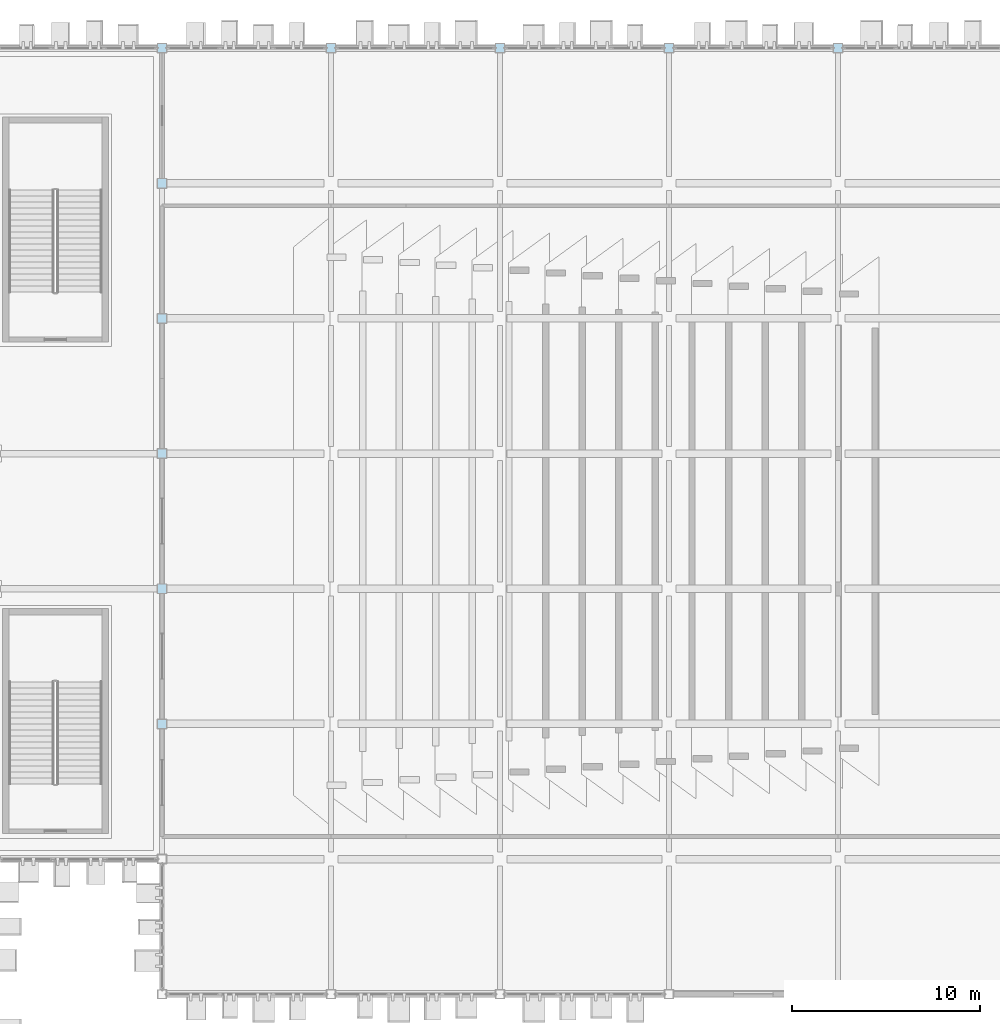
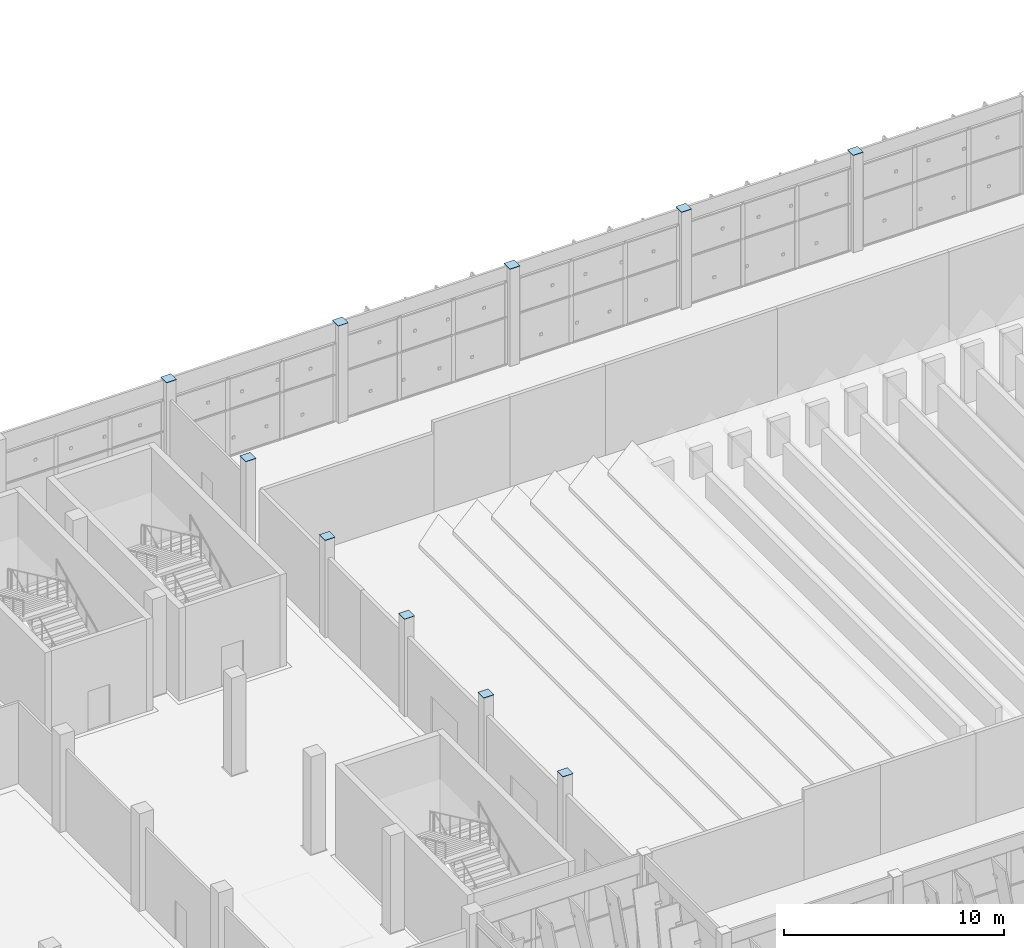
# One storey, part 130 of 189: 10 plates.
"""IFC4 building model written with IfcOpenShell, lengths in metres."""

from ifc_helpers import new_model, si_unit, direction, frame, origin, origin_2d, place, context, subcontext, project, spatial, rectangle, extrude, material, layer, layer_set, type_object, element, save


model = new_model("IFC4")

# Units and contexts
model_context = context("Model", 3, precision=1e-05, world=origin(), true_north=direction((0.0, 1.0)))
body_context = subcontext(model_context, "Body", "Model", "MODEL_VIEW")
ifc_project = project(units=[si_unit("LENGTHUNIT", "METRE"), si_unit("AREAUNIT", "SQUARE_METRE"), si_unit("VOLUMEUNIT", "CUBIC_METRE"), si_unit("PLANEANGLEUNIT", "RADIAN"), si_unit("MASSUNIT", "GRAM", prefix="KILO")], contexts=[model_context])

# Site, building, storey
site_placement = place(None, origin())
site = spatial("IfcSite", under=ifc_project, at=site_placement, CompositionType="ELEMENT")
building_placement = place(site_placement, origin())
building = spatial("IfcBuilding", under=site, at=building_placement, Name="Celestram Park Convention Centre", CompositionType="ELEMENT")
storey_placement = place(building_placement, frame((0.0, 0.0, 5.39990234375)))
storey = spatial("IfcBuildingStorey", under=building, at=storey_placement, Name="L01", CompositionType="ELEMENT", Elevation=5.39990234375)

# Plates
ifc_material = material(Name="Steel ASTM A572 Grade 50", Category="steel")
ifc_layer = layer(ifc_material, 0.02490234375)
ifc_layer_set = layer_set([ifc_layer], Name="Steel ASTM A572 Grade 50")
plate_type = type_object("IfcPlateType", Name="STR-PLT-EC500", PredefinedType="USERDEFINED", material=ifc_layer_set)
for number, where, z_axis, x_axis, name in (
    (1, (153.0, 129.60009765625, 5.399658203125), (0.0, 0.0, 1.0), (1.0, 0.0, 0.0), "HSS column end closure cap plate EC-L01-125"),
    (2, (153.0, 136.800048828125, 5.399658203125), (0.0, 0.0, 1.0), (1.0, 0.0, 0.0), "HSS column end closure cap plate EC-L01-127"),
    (3, (153.0, 144.0, 5.399658203125), (0.0, 0.0, 1.0), (1.0, 0.0, 0.0), "HSS column end closure cap plate EC-L01-129"),
    (4, (153.0, 151.199951171875, 5.399658203125), (0.0, 0.0, 1.0), (1.0, 0.0, 0.0), "HSS column end closure cap plate EC-L01-131"),
    (5, (153.0, 158.39990234375, 5.399658203125), (0.0, 0.0, 1.0), (1.0, 0.0, 0.0), "HSS column end closure cap plate EC-L01-133"),
    (6, (153.0, 165.60009765625, 5.399658203125), (0.0, 0.0, 1.0), (1.0, 0.0, 0.0), "HSS column end closure cap plate EC-L01-135"),
    (7, (162.0, 165.60009765625, 5.399658203125), (0.0, 0.0, 1.0), (1.0, 0.0, 0.0), "HSS column end closure cap plate EC-L01-139"),
    (8, (171.0, 165.60009765625, 5.399658203125), (0.0, 0.0, 1.0), (1.0, 0.0, 0.0), "HSS column end closure cap plate EC-L01-143"),
    (9, (180.0, 165.60009765625, 5.399658203125), (0.0, 0.0, 1.0), (1.0, 0.0, 0.0), "HSS column end closure cap plate EC-L01-147"),
    (10, (189.0, 165.60009765625, 5.399658203125), (0.0, 0.0, 1.0), (1.0, 0.0, 0.0), "HSS column end closure cap plate EC-L01-151"),
):
    element("IfcPlate", number, at=place(storey_placement, frame(where, z_axis=z_axis, x_axis=x_axis)), inside=storey, type_object=plate_type, Name=name, ObjectType="GUSSET_PLATE", PredefinedType="USERDEFINED", context=body_context, shape_type="SweptSolid", body=[
        extrude(rectangle(XDim=0.530029296875, YDim=0.530029296875, at=origin_2d()), origin(), (0.0, 0.0, 1.0), 0.02490234375),
    ])

save(model, "model.ifc")
